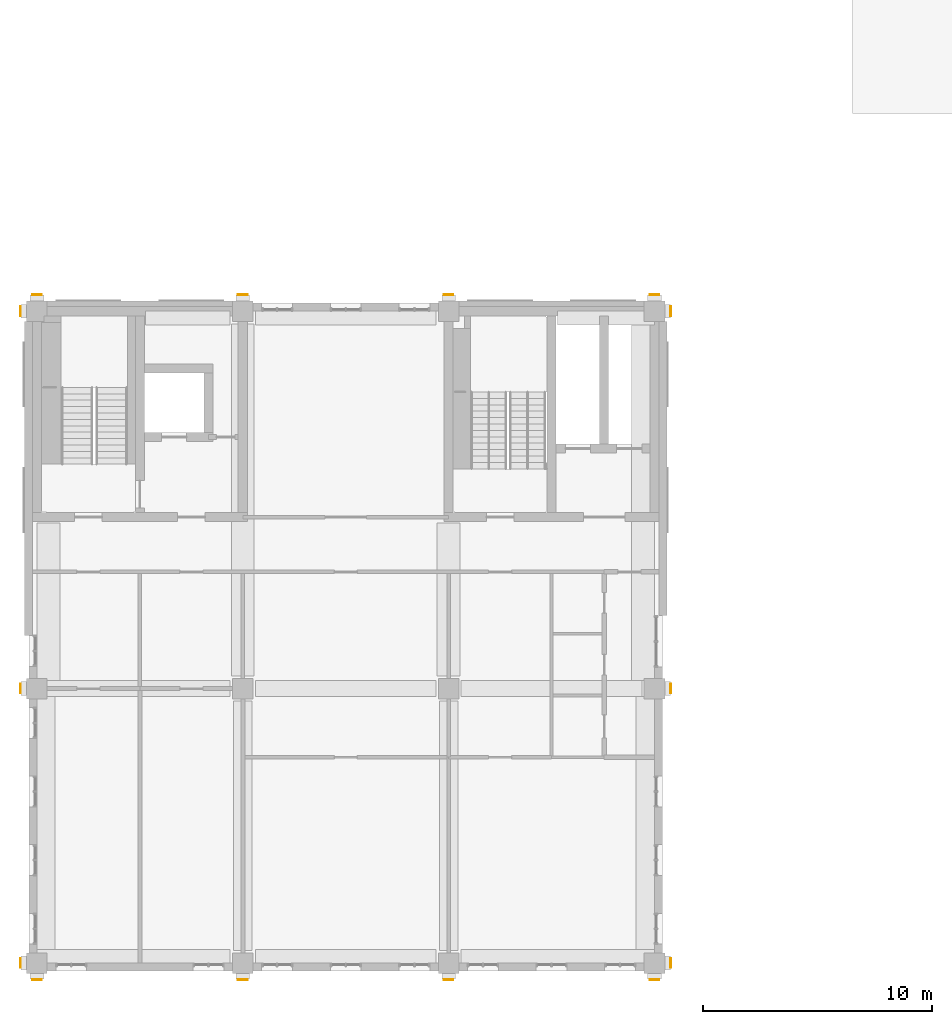
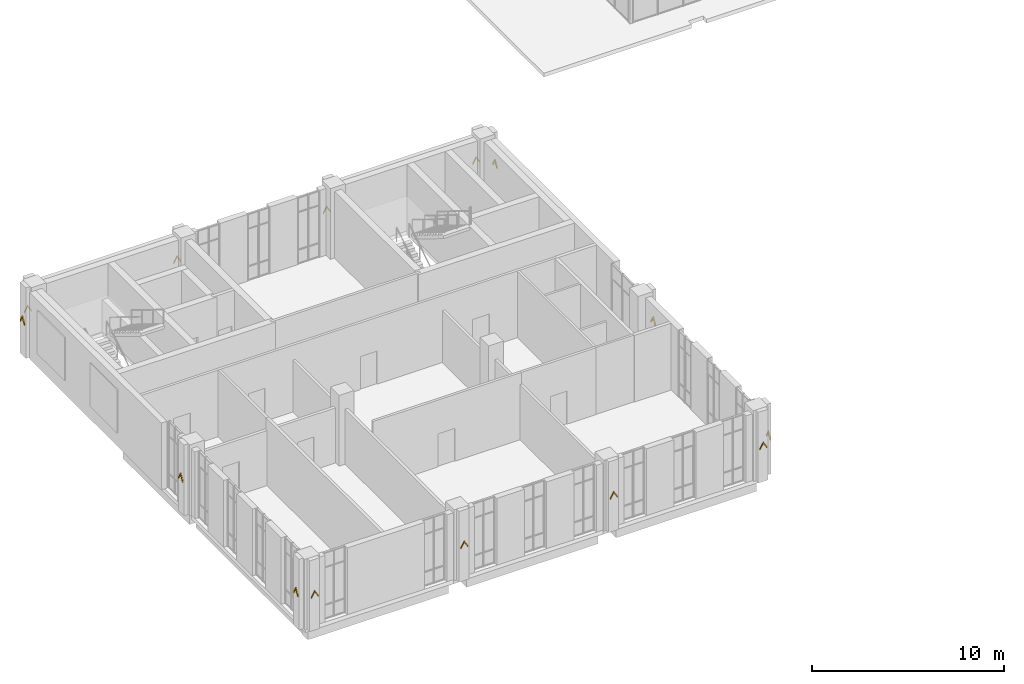
# One storey, part 25 of 25: 14 coverings.
"""IFC4 building model written with IfcOpenShell, lengths in metres."""

from ifc_helpers import new_model, si_unit, direction, frame, origin, place, context, subcontext, project, spatial, polyline, outline, extrude, material, layer, layer_set, type_object, element, save


model = new_model("IFC4")

# Units and contexts
model_context = context("Model", 3, precision=1e-05, world=origin(), true_north=direction((0.0, 1.0)))
body_context = subcontext(model_context, "Body", "Model", "MODEL_VIEW")
ifc_project = project(units=[si_unit("LENGTHUNIT", "METRE"), si_unit("AREAUNIT", "SQUARE_METRE"), si_unit("VOLUMEUNIT", "CUBIC_METRE"), si_unit("PLANEANGLEUNIT", "RADIAN"), si_unit("MASSUNIT", "GRAM", prefix="KILO")], contexts=[model_context])

# Site, building, storey
site_placement = place(None, origin())
site = spatial("IfcSite", under=ifc_project, at=site_placement, CompositionType="ELEMENT")
building_placement = place(site_placement, origin())
building = spatial("IfcBuilding", under=site, at=building_placement, Name="Aurelan Courthouse", CompositionType="ELEMENT")
storey_placement = place(building_placement, frame((0.0, 0.0, 44.39990234375)))
storey = spatial("IfcBuildingStorey", under=building, at=storey_placement, Name="L08", CompositionType="ELEMENT", Elevation=44.39990234375)

# Coverings
ifc_material = material(Name="Bronze sheet cladding")
ifc_layer = layer(ifc_material, 0.0400390625)
ifc_layer_set = layer_set([ifc_layer], Name="Bronze sheet cladding")
covering_type = type_object("IfcCoveringType", Name="Courts' Floors chevron relief 420 x 470", PredefinedType="CLADDING", material=ifc_layer_set)
for number, where, z_axis, x_axis, name in (
    (1, (0.0, -0.699951171875, -44.39990234375), (0.0, -1.0, 0.0), (1.0, 0.0, 0.0), "Chevron relief CH-V5-085"),
    (2, (9.0, -0.699951171875, -44.39990234375), (0.0, -1.0, 0.0), (1.0, 0.0, 0.0), "Chevron relief CH-V5-086"),
    (3, (18.0, -0.699951171875, -44.39990234375), (0.0, -1.0, 0.0), (1.0, 0.0, 0.0), "Chevron relief CH-V5-087"),
    (4, (27.0, -0.699951171875, -44.39990234375), (0.0, -1.0, 0.0), (1.0, 0.0, 0.0), "Chevron relief CH-V5-088"),
    (5, (0.0, 29.199951171875, -44.39990234375), (0.0, 1.0, 0.0), (-1.0, 0.0, 0.0), "Chevron relief CH-V5-089"),
    (6, (9.0, 29.199951171875, -44.39990234375), (0.0, 1.0, 0.0), (-1.0, 0.0, 0.0), "Chevron relief CH-V5-090"),
    (7, (18.0, 29.199951171875, -44.39990234375), (0.0, 1.0, 0.0), (-1.0, 0.0, 0.0), "Chevron relief CH-V5-091"),
    (8, (27.0, 29.199951171875, -44.39990234375), (0.0, 1.0, 0.0), (-1.0, 0.0, 0.0), "Chevron relief CH-V5-092"),
    (9, (27.699951171875, 0.0, -44.39990234375), (1.0, 0.0, 0.0), (0.0, 1.0, 0.0), "Chevron relief CH-V5-093"),
    (10, (27.699951171875, 12.0, -44.39990234375), (1.0, 0.0, 0.0), (0.0, 1.0, 0.0), "Chevron relief CH-V5-094"),
    (11, (27.699951171875, 28.5, -44.39990234375), (1.0, 0.0, 0.0), (0.0, 1.0, 0.0), "Chevron relief CH-V5-095"),
    (12, (-0.699951171875, 0.0, -44.39990234375), (-1.0, 0.0, 0.0), (0.0, -1.0, 0.0), "Chevron relief CH-V5-096"),
    (13, (-0.699951171875, 12.0, -44.39990234375), (-1.0, 0.0, 0.0), (0.0, -1.0, 0.0), "Chevron relief CH-V5-097"),
    (14, (-0.699951171875, 28.5, -44.39990234375), (-1.0, 0.0, 0.0), (0.0, -1.0, 0.0), "Chevron relief CH-V5-098"),
):
    element("IfcCovering", number, at=place(storey_placement, frame(where, z_axis=z_axis, x_axis=x_axis)), inside=storey, type_object=covering_type, Name=name, PredefinedType="CLADDING", context=body_context, shape_type="SweptSolid", body=[
        extrude(outline(polyline([(-0.2099609375, 46.47509765625), (0.0, 46.824951171875), (0.2099609375, 46.47509765625), (0.2099609375, 46.594970703125), (0.0, 46.945068359375), (-0.2099609375, 46.594970703125), (-0.2099609375, 46.47509765625)])), origin(), (0.0, 0.0, 1.0), 0.0400390625),
    ])

save(model, "model.ifc")
